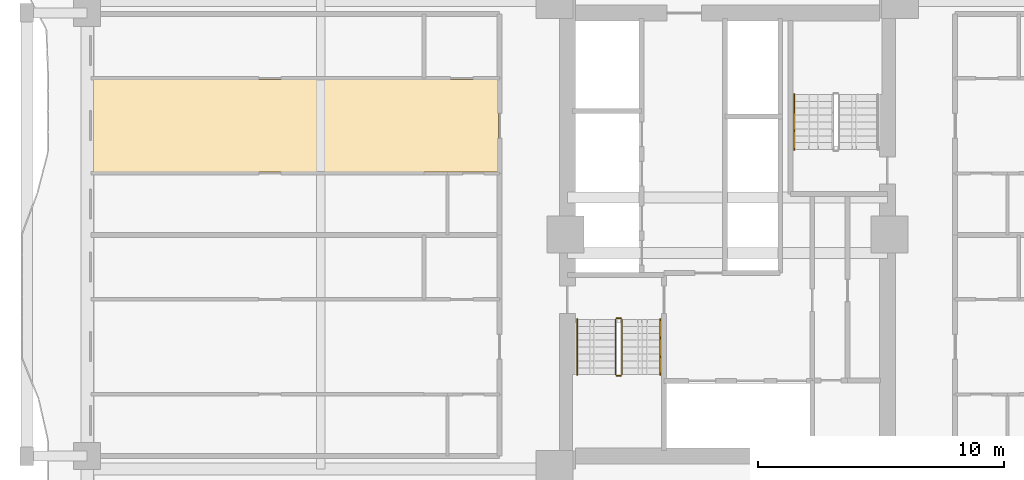
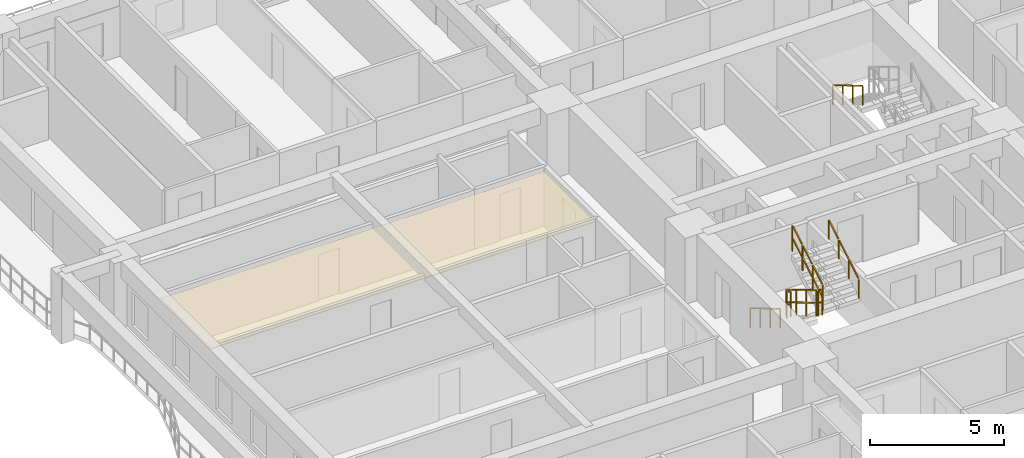
# One storey, part 12 of 15: 7 railings, 1 covering.
"""IFC4 building model written with IfcOpenShell, lengths in metres."""

from ifc_helpers import new_model, si_unit, direction, frame, origin, origin_2d, place, context, subcontext, project, spatial, polyline, rectangle, outline, extrude, material, layer, layer_set, type_object, element, save


model = new_model("IFC4")

# Units and contexts
model_context = context("Model", 3, precision=1e-05, world=origin(), true_north=direction((0.0, 1.0)))
body_context = subcontext(model_context, "Body", "Model", "MODEL_VIEW")
ifc_project = project(units=[si_unit("LENGTHUNIT", "METRE"), si_unit("AREAUNIT", "SQUARE_METRE"), si_unit("VOLUMEUNIT", "CUBIC_METRE"), si_unit("PLANEANGLEUNIT", "RADIAN"), si_unit("MASSUNIT", "GRAM", prefix="KILO")], contexts=[model_context])

# Site, building, storey
site_placement = place(None, origin())
site = spatial("IfcSite", under=ifc_project, at=site_placement, CompositionType="ELEMENT")
building_placement = place(site_placement, origin())
building = spatial("IfcBuilding", under=site, at=building_placement, Name="Saelheon Loggia Tower", CompositionType="ELEMENT")
storey_placement = place(building_placement, frame((0.0, 0.0, 67.39990234375)))
storey = spatial("IfcBuildingStorey", under=building, at=storey_placement, Name="L21", CompositionType="ELEMENT", Elevation=67.39990234375)

# Covering
ifc_material_1 = material(Name="Mineral-Fibre Acoustic Ceiling Board", Category="gypsum")
ifc_layer = layer(ifc_material_1, 0.02490234375)
ifc_layer_set = layer_set([ifc_layer], Name="Mineral-Fibre Acoustic Ceiling Board")
covering_type = type_object("IfcCoveringType", Name="Cov_Ceiling_Acoustic", PredefinedType="CEILING", material=ifc_layer_set)
covering_placement = place(storey_placement, frame((0.0, 0.0, 2.445068359375)))
element("IfcCovering", 1, at=covering_placement, inside=storey, type_object=covering_type, Name="L21 Acoustic Suspended Ceiling", PredefinedType="CEILING", context=body_context, shape_type="SweptSolid", body=[
    extrude(outline(polyline([(12.199951171875, 29.5380859375), (28.699951171875, 29.5380859375), (28.699951171875, 33.300048828125), (12.199951171875, 33.300048828125), (12.199951171875, 29.5380859375)])), origin(), (0.0, 0.0, 1.0), 0.025146484375),
])

# Railings
ifc_material_2 = material(Name="Galvanised Steel S275 Stairwell Guardrail", Category="steel")
railing_type_1 = type_object("IfcRailingType", Name="Guard_StairWell_RL_STG", PredefinedType="GUARDRAIL", material=ifc_material_2)
railing_1_placement = place(storey_placement, frame((33.4599609375, 23.550048828125, 0.166748046875)))
element("IfcRailing", 2, at=railing_1_placement, inside=storey, type_object=railing_type_1, Name="L21 ST1 stair guard 1", PredefinedType="GUARDRAIL", context=body_context, shape_type="SweptSolid", body=[
    extrude(rectangle(XDim=0.048095703125, YDim=0.048095703125, at=origin_2d()), frame((0.0, -0.028564453125, 1.19287109375), z_axis=(0.0, -0.859305625298, 0.511462454469), x_axis=(1.0, 0.0, 0.0)), (0.0, 0.0, 1.0), 0.802490234375),
    extrude(rectangle(XDim=0.048095703125, YDim=0.048095703125, at=origin_2d()), frame((0.0, -0.028564453125, 0.616943359375), z_axis=(0.0, -0.859305625298, 0.511462454469), x_axis=(1.0, 0.0, 0.0)), (0.0, 0.0, 1.0), 0.802490234375),
    extrude(rectangle(XDim=0.048095703125, YDim=0.048095703125, at=origin_2d()), frame((0.0, -0.775146484375, 1.63720703125), z_axis=(0.0, -0.859305625298, 0.511462454469), x_axis=(1.0, 0.0, 0.0)), (0.0, 0.0, 1.0), 0.802490234375),
    extrude(rectangle(XDim=0.048095703125, YDim=0.048095703125, at=origin_2d()), frame((0.0, -0.775146484375, 1.061279296875), z_axis=(0.0, -0.859305625298, 0.511462454469), x_axis=(1.0, 0.0, 0.0)), (0.0, 0.0, 1.0), 0.802490234375),
    extrude(rectangle(XDim=0.048095703125, YDim=0.048095703125, at=origin_2d()), frame((0.0, -1.52197265625, 2.081787109375), z_axis=(0.0, -0.859305625298, 0.511462454469), x_axis=(1.0, 0.0, 0.0)), (0.0, 0.0, 1.0), 0.802490234375),
    extrude(rectangle(XDim=0.048095703125, YDim=0.048095703125, at=origin_2d()), frame((0.0, -1.52197265625, 1.505859375), z_axis=(0.0, -0.859305625298, 0.511462454469), x_axis=(1.0, 0.0, 0.0)), (0.0, 0.0, 1.0), 0.802490234375),
    extrude(rectangle(XDim=0.0419921875, YDim=0.0419921875, at=origin_2d()), origin(), (0.0, 0.0, 1.0), 1.14794921875),
    extrude(rectangle(XDim=0.0419921875, YDim=0.0419921875, at=origin_2d()), frame((0.0, -0.74658203125, 0.4443359375)), (0.0, 0.0, 1.0), 1.14794921875),
    extrude(rectangle(XDim=0.0419921875, YDim=0.0419921875, at=origin_2d()), frame((0.0, -1.493408203125, 0.888916015625)), (0.0, 0.0, 1.0), 1.14794921875),
    extrude(rectangle(XDim=0.0419921875, YDim=0.0419921875, at=origin_2d()), frame((0.0, -2.239990234375, 1.333251953125)), (0.0, 0.0, 1.0), 1.14794921875),
])
railing_2_placement = place(storey_placement, frame((33.510009765625, 21.260009765625, 1.5)))
element("IfcRailing", 3, at=railing_2_placement, inside=storey, type_object=railing_type_1, Name="L21 ST1 stair guard 2", PredefinedType="GUARDRAIL", context=body_context, shape_type="SweptSolid", body=[
    extrude(rectangle(XDim=0.048095703125, YDim=0.048095703125, at=origin_2d()), frame((0.033203125, 0.0, 1.17578125), z_axis=(1.0, 0.0, 0.0), x_axis=(0.0, 1.0, 0.0)), (0.0, 0.0, 1.0), 0.093505859375),
    extrude(rectangle(XDim=0.048095703125, YDim=0.048095703125, at=origin_2d()), frame((0.033203125, 0.0, 0.60009765625), z_axis=(1.0, 0.0, 0.0), x_axis=(0.0, 1.0, 0.0)), (0.0, 0.0, 1.0), 0.093505859375),
    extrude(rectangle(XDim=0.0419921875, YDim=0.0419921875, at=origin_2d()), origin(), (0.0, 0.0, 1.0), 1.14794921875),
    extrude(rectangle(XDim=0.0419921875, YDim=0.0419921875, at=origin_2d()), frame((0.159912109375, 0.0, 0.0)), (0.0, 0.0, 1.0), 1.14794921875),
])
railing_3_placement = place(storey_placement, frame((33.719970703125, 21.31005859375, 1.666748046875)))
element("IfcRailing", 4, at=railing_3_placement, inside=storey, type_object=railing_type_1, Name="L21 ST1 stair guard 3", PredefinedType="GUARDRAIL", context=body_context, shape_type="SweptSolid", body=[
    extrude(rectangle(XDim=0.048095703125, YDim=0.048095703125, at=origin_2d()), frame((0.0, 0.028564453125, 1.19287109375), z_axis=(0.0, 0.859305625298, 0.511462454469), x_axis=(-1.0, 0.0, 0.0)), (0.0, 0.0, 1.0), 0.802490234375),
    extrude(rectangle(XDim=0.048095703125, YDim=0.048095703125, at=origin_2d()), frame((0.0, 0.028564453125, 0.616943359375), z_axis=(0.0, 0.859305625298, 0.511462454469), x_axis=(-1.0, 0.0, 0.0)), (0.0, 0.0, 1.0), 0.802490234375),
    extrude(rectangle(XDim=0.048095703125, YDim=0.048095703125, at=origin_2d()), frame((0.0, 0.775146484375, 1.63720703125), z_axis=(0.0, 0.859305625298, 0.511462454469), x_axis=(-1.0, 0.0, 0.0)), (0.0, 0.0, 1.0), 0.802490234375),
    extrude(rectangle(XDim=0.048095703125, YDim=0.048095703125, at=origin_2d()), frame((0.0, 0.775146484375, 1.061279296875), z_axis=(0.0, 0.859305625298, 0.511462454469), x_axis=(-1.0, 0.0, 0.0)), (0.0, 0.0, 1.0), 0.802490234375),
    extrude(rectangle(XDim=0.048095703125, YDim=0.048095703125, at=origin_2d()), frame((0.0, 1.52197265625, 2.081787109375), z_axis=(0.0, 0.859305625298, 0.511462454469), x_axis=(-1.0, 0.0, 0.0)), (0.0, 0.0, 1.0), 0.802490234375),
    extrude(rectangle(XDim=0.048095703125, YDim=0.048095703125, at=origin_2d()), frame((0.0, 1.52197265625, 1.505859375), z_axis=(0.0, 0.859305625298, 0.511462454469), x_axis=(-1.0, 0.0, 0.0)), (0.0, 0.0, 1.0), 0.802490234375),
    extrude(rectangle(XDim=0.0419921875, YDim=0.0419921875, at=origin_2d()), origin(), (0.0, 0.0, 1.0), 1.14794921875),
    extrude(rectangle(XDim=0.0419921875, YDim=0.0419921875, at=origin_2d()), frame((0.0, 0.74658203125, 0.4443359375)), (0.0, 0.0, 1.0), 1.14794921875),
    extrude(rectangle(XDim=0.0419921875, YDim=0.0419921875, at=origin_2d()), frame((0.0, 1.493408203125, 0.888916015625)), (0.0, 0.0, 1.0), 1.14794921875),
    extrude(rectangle(XDim=0.0419921875, YDim=0.0419921875, at=origin_2d()), frame((0.0, 2.239990234375, 1.333251953125)), (0.0, 0.0, 1.0), 1.14794921875),
])
railing_4_placement = place(storey_placement, frame((33.510009765625, 23.60009765625, 0.0)))
element("IfcRailing", 5, at=railing_4_placement, inside=storey, type_object=railing_type_1, Name="L21 ST1 stair guard 4", PredefinedType="GUARDRAIL", context=body_context, shape_type="SweptSolid", body=[
    extrude(rectangle(XDim=0.048095703125, YDim=0.048095703125, at=origin_2d()), frame((0.033203125, 0.0, 1.17578125), z_axis=(1.0, 0.0, 0.0), x_axis=(0.0, 1.0, 0.0)), (0.0, 0.0, 1.0), 0.093505859375),
    extrude(rectangle(XDim=0.048095703125, YDim=0.048095703125, at=origin_2d()), frame((0.033203125, 0.0, 0.60009765625), z_axis=(1.0, 0.0, 0.0), x_axis=(0.0, 1.0, 0.0)), (0.0, 0.0, 1.0), 0.093505859375),
    extrude(rectangle(XDim=0.0419921875, YDim=0.0419921875, at=origin_2d()), origin(), (0.0, 0.0, 1.0), 1.14794921875),
    extrude(rectangle(XDim=0.0419921875, YDim=0.0419921875, at=origin_2d()), frame((0.159912109375, 0.0, 0.0)), (0.0, 0.0, 1.0), 1.14794921875),
])
ifc_material_3 = material(Name="Stainless Steel 304 Tubular Handrail", Category="steel")
railing_type_2 = type_object("IfcRailingType", Name="Handrail_Stair_RL_HR1", PredefinedType="HANDRAIL", material=ifc_material_3)
railing_5_placement = place(storey_placement, frame((31.89990234375, 23.550048828125, 0.166748046875)))
element("IfcRailing", 6, at=railing_5_placement, inside=storey, type_object=railing_type_2, Name="L21 ST1 stair handrail 1", PredefinedType="HANDRAIL", context=body_context, shape_type="SweptSolid", body=[
    extrude(rectangle(XDim=0.048095703125, YDim=0.048095703125, at=origin_2d()), frame((0.0, -0.028564453125, 0.892822265625), z_axis=(0.0, -0.859305625298, 0.511462454469), x_axis=(1.0, 0.0, 0.0)), (0.0, 0.0, 1.0), 0.802490234375),
    extrude(rectangle(XDim=0.048095703125, YDim=0.048095703125, at=origin_2d()), frame((0.0, -0.775146484375, 1.337158203125), z_axis=(0.0, -0.859305625298, 0.511462454469), x_axis=(1.0, 0.0, 0.0)), (0.0, 0.0, 1.0), 0.802490234375),
    extrude(rectangle(XDim=0.048095703125, YDim=0.048095703125, at=origin_2d()), frame((0.0, -1.52197265625, 1.78173828125), z_axis=(0.0, -0.859305625298, 0.511462454469), x_axis=(1.0, 0.0, 0.0)), (0.0, 0.0, 1.0), 0.802490234375),
    extrude(rectangle(XDim=0.0419921875, YDim=0.0419921875, at=origin_2d()), origin(), (0.0, 0.0, 1.0), 0.847900390625),
    extrude(rectangle(XDim=0.0419921875, YDim=0.0419921875, at=origin_2d()), frame((0.0, -0.74658203125, 0.4443359375)), (0.0, 0.0, 1.0), 0.847900390625),
    extrude(rectangle(XDim=0.0419921875, YDim=0.0419921875, at=origin_2d()), frame((0.0, -1.493408203125, 0.888916015625)), (0.0, 0.0, 1.0), 0.847900390625),
    extrude(rectangle(XDim=0.0419921875, YDim=0.0419921875, at=origin_2d()), frame((0.0, -2.239990234375, 1.333251953125)), (0.0, 0.0, 1.0), 0.847900390625),
])
railing_6_placement = place(storey_placement, frame((35.280029296875, 21.31005859375, 1.666748046875)))
element("IfcRailing", 7, at=railing_6_placement, inside=storey, type_object=railing_type_2, Name="L21 ST1 stair handrail 2", PredefinedType="HANDRAIL", context=body_context, shape_type="SweptSolid", body=[
    extrude(rectangle(XDim=0.048095703125, YDim=0.048095703125, at=origin_2d()), frame((0.0, 0.028564453125, 0.892822265625), z_axis=(0.0, 0.859305625298, 0.511462454469), x_axis=(-1.0, 0.0, 0.0)), (0.0, 0.0, 1.0), 0.802490234375),
    extrude(rectangle(XDim=0.048095703125, YDim=0.048095703125, at=origin_2d()), frame((0.0, 0.775146484375, 1.337158203125), z_axis=(0.0, 0.859305625298, 0.511462454469), x_axis=(-1.0, 0.0, 0.0)), (0.0, 0.0, 1.0), 0.802490234375),
    extrude(rectangle(XDim=0.048095703125, YDim=0.048095703125, at=origin_2d()), frame((0.0, 1.52197265625, 1.78173828125), z_axis=(0.0, 0.859305625298, 0.511462454469), x_axis=(-1.0, 0.0, 0.0)), (0.0, 0.0, 1.0), 0.802490234375),
    extrude(rectangle(XDim=0.0419921875, YDim=0.0419921875, at=origin_2d()), origin(), (0.0, 0.0, 1.0), 0.847900390625),
    extrude(rectangle(XDim=0.0419921875, YDim=0.0419921875, at=origin_2d()), frame((0.0, 0.74658203125, 0.4443359375)), (0.0, 0.0, 1.0), 0.847900390625),
    extrude(rectangle(XDim=0.0419921875, YDim=0.0419921875, at=origin_2d()), frame((0.0, 1.493408203125, 0.888916015625)), (0.0, 0.0, 1.0), 0.847900390625),
    extrude(rectangle(XDim=0.0419921875, YDim=0.0419921875, at=origin_2d()), frame((0.0, 2.239990234375, 1.333251953125)), (0.0, 0.0, 1.0), 0.847900390625),
])
railing_7_placement = place(storey_placement, frame((40.719970703125, 32.68994140625, 1.666748046875)))
element("IfcRailing", 8, at=railing_7_placement, inside=storey, type_object=railing_type_2, Name="L21 ST2 stair handrail 2", PredefinedType="HANDRAIL", context=body_context, shape_type="SweptSolid", body=[
    extrude(rectangle(XDim=0.048095703125, YDim=0.048095703125, at=origin_2d()), frame((0.0, -0.028564453125, 0.892822265625), z_axis=(0.0, -0.859305625298, 0.511462454469), x_axis=(1.0, 0.0, 0.0)), (0.0, 0.0, 1.0), 0.802490234375),
    extrude(rectangle(XDim=0.048095703125, YDim=0.048095703125, at=origin_2d()), frame((0.0, -0.775146484375, 1.337158203125), z_axis=(0.0, -0.859305625298, 0.511462454469), x_axis=(1.0, 0.0, 0.0)), (0.0, 0.0, 1.0), 0.802490234375),
    extrude(rectangle(XDim=0.048095703125, YDim=0.048095703125, at=origin_2d()), frame((0.0, -1.52197265625, 1.78173828125), z_axis=(0.0, -0.859305625298, 0.511462454469), x_axis=(1.0, 0.0, 0.0)), (0.0, 0.0, 1.0), 0.802490234375),
    extrude(rectangle(XDim=0.0419921875, YDim=0.0419921875, at=origin_2d()), origin(), (0.0, 0.0, 1.0), 0.847900390625),
    extrude(rectangle(XDim=0.0419921875, YDim=0.0419921875, at=origin_2d()), frame((0.0, -0.74658203125, 0.4443359375)), (0.0, 0.0, 1.0), 0.847900390625),
    extrude(rectangle(XDim=0.0419921875, YDim=0.0419921875, at=origin_2d()), frame((0.0, -1.493408203125, 0.888916015625)), (0.0, 0.0, 1.0), 0.847900390625),
    extrude(rectangle(XDim=0.0419921875, YDim=0.0419921875, at=origin_2d()), frame((0.0, -2.239990234375, 1.333251953125)), (0.0, 0.0, 1.0), 0.847900390625),
])

save(model, "model.ifc")
